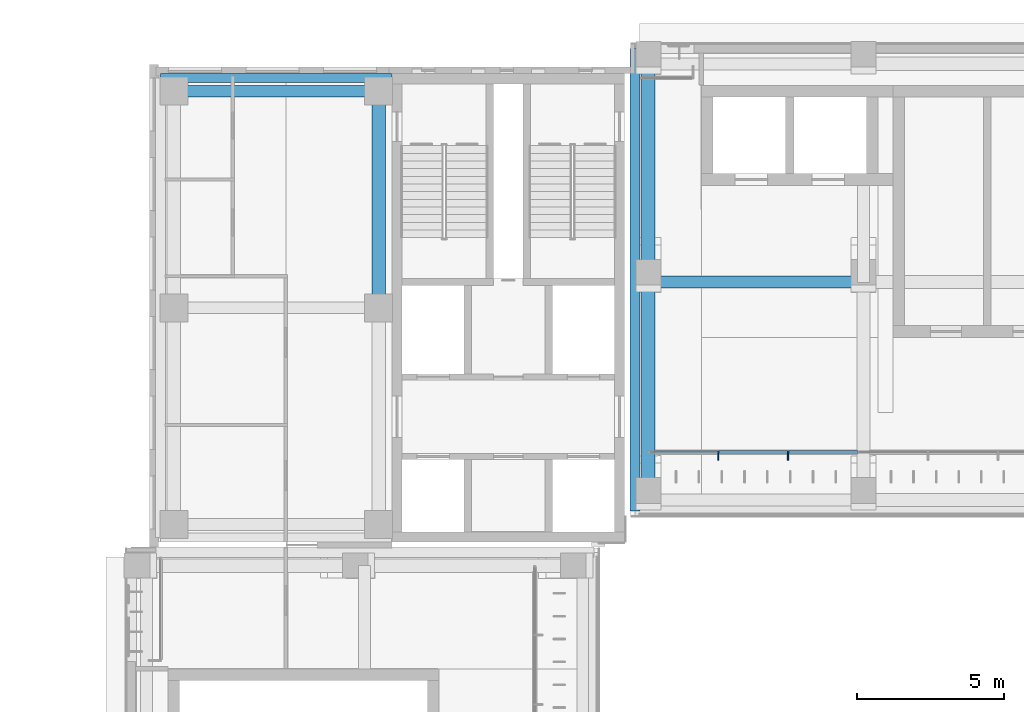
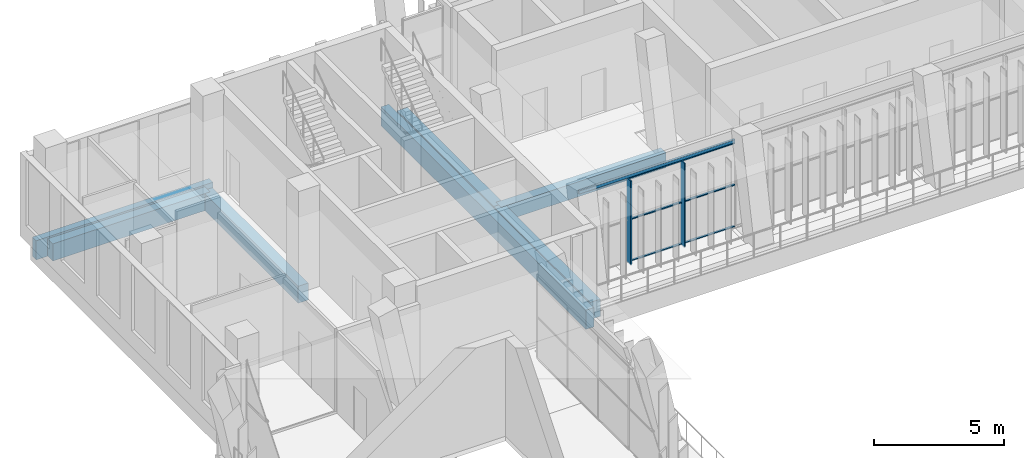
# One storey, part 32 of 92: 8 beams, 8 members, 1 element without a shape of its own.
"""IFC4 building model written with IfcOpenShell, lengths in metres."""

from ifc_helpers import new_model, si_unit, direction, frame, origin, origin_2d, place, context, subcontext, project, spatial, rectangle, hollow_rectangle, extrude, material, material_profile, profile_set, type_object, element, aggregate, save


model = new_model("IFC4")

# Units and contexts
model_context = context("Model", 3, precision=1e-05, world=origin(), true_north=direction((0.0, 1.0)))
body_context = subcontext(model_context, "Body", "Model", "MODEL_VIEW")
ifc_project = project(units=[si_unit("LENGTHUNIT", "METRE"), si_unit("AREAUNIT", "SQUARE_METRE"), si_unit("VOLUMEUNIT", "CUBIC_METRE"), si_unit("PLANEANGLEUNIT", "RADIAN"), si_unit("MASSUNIT", "GRAM", prefix="KILO")], contexts=[model_context])

# Site, building, storey
site_placement = place(None, origin())
site = spatial("IfcSite", under=ifc_project, at=site_placement, CompositionType="ELEMENT")
building_placement = place(site_placement, origin())
building = spatial("IfcBuilding", under=site, at=building_placement, Name="Lantern Court Media Centre", CompositionType="ELEMENT")
storey_placement = place(building_placement, frame((0.0, 0.0, 4.800048828125)))
storey = spatial("IfcBuildingStorey", under=building, at=storey_placement, Name="L01", CompositionType="ELEMENT", Elevation=4.800048828125)

# Curtain wall, members
ifc_material_1 = material(Name="Curtain wall bay 2400")
curtain_wall_type = type_object("IfcCurtainWallType", Name="Curtain wall bay 2400", PredefinedType="NOTDEFINED", material=ifc_material_1)
curtain_wall_placement = place(storey_placement, origin())
curtain_wall = element("IfcCurtainWall", 1, at=curtain_wall_placement, inside=storey, type_object=curtain_wall_type, Name="Curtain wall N inner L01", PredefinedType="NOTDEFINED")
ifc_material_2 = material(Name="Anodised aluminium", Category="aluminium")
ifc_material_profile_1 = material_profile(ifc_material_2, rectangle(XDim=0.300048828125, YDim=0.050048828125, at=origin_2d()), Name="AL 50x300")
ifc_profile_set_1 = profile_set([ifc_material_profile_1], Name="Anodised aluminium")
member_type_1 = type_object("IfcMemberType", Name="Curtain wall mullion 50x300", PredefinedType="MULLION", material=ifc_profile_set_1)
member_1_placement = place(storey_placement, frame((27.073974609375, 99.030029296875, 0.0), z_axis=(0.0, 0.0, 1.0), x_axis=(0.0, 1.0, 0.0)))
member_1 = element("IfcMember", 2, at=member_1_placement, type_object=member_type_1, Name="CW2 mullion 2", PredefinedType="MULLION", context=body_context, shape_type="SweptSolid", body=[
    extrude(rectangle(XDim=0.300048828125, YDim=0.050048828125, at=origin_2d()), origin(), (0.0, 0.0, 1.0), 3.949951171875),
])
member_2_placement = place(storey_placement, frame((29.44775390625, 99.030029296875, 0.0), z_axis=(0.0, 0.0, 1.0), x_axis=(0.0, 1.0, 0.0)))
member_2 = element("IfcMember", 3, at=member_2_placement, type_object=member_type_1, Name="CW2 mullion 3", PredefinedType="MULLION", context=body_context, shape_type="SweptSolid", body=[
    extrude(rectangle(XDim=0.300048828125, YDim=0.050048828125, at=origin_2d()), origin(), (0.0, 0.0, 1.0), 3.949951171875),
])
ifc_material_profile_2 = material_profile(ifc_material_2, rectangle(XDim=0.10009765625, YDim=0.050048828125, at=origin_2d()), Name="AL 50x100")
ifc_profile_set_2 = profile_set([ifc_material_profile_2], Name="Anodised aluminium")
member_type_2 = type_object("IfcMemberType", Name="Curtain wall transom 100x50", PredefinedType="USERDEFINED", material=ifc_profile_set_2)
member_3_placement = place(storey_placement, frame((27.098876953125, 99.14990234375, 0.02490234375), z_axis=(1.0, 0.0, 0.0), x_axis=(0.0, 1.0, 0.0)))
member_3 = element("IfcMember", 4, at=member_3_placement, type_object=member_type_2, Name="CW2 transom 2.1", ObjectType="TRANSOM", PredefinedType="USERDEFINED", context=body_context, shape_type="SweptSolid", body=[
    extrude(rectangle(XDim=0.10009765625, YDim=0.050048828125, at=origin_2d()), origin(), (0.0, 0.0, 1.0), 2.323974609375),
])
member_4_placement = place(storey_placement, frame((27.098876953125, 99.14990234375, 1.974853515625), z_axis=(1.0, 0.0, 0.0), x_axis=(0.0, 1.0, 0.0)))
member_4 = element("IfcMember", 5, at=member_4_placement, type_object=member_type_2, Name="CW2 transom 2.2", ObjectType="TRANSOM", PredefinedType="USERDEFINED", context=body_context, shape_type="SweptSolid", body=[
    extrude(rectangle(XDim=0.10009765625, YDim=0.050048828125, at=origin_2d()), origin(), (0.0, 0.0, 1.0), 2.323974609375),
])
member_5_placement = place(storey_placement, frame((27.098876953125, 99.14990234375, 3.925048828125), z_axis=(1.0, 0.0, 0.0), x_axis=(0.0, 1.0, 0.0)))
member_5 = element("IfcMember", 6, at=member_5_placement, type_object=member_type_2, Name="CW2 transom 2.3", ObjectType="TRANSOM", PredefinedType="USERDEFINED", context=body_context, shape_type="SweptSolid", body=[
    extrude(rectangle(XDim=0.10009765625, YDim=0.050048828125, at=origin_2d()), origin(), (0.0, 0.0, 1.0), 2.323974609375),
])
member_6_placement = place(storey_placement, frame((29.472900390625, 99.14990234375, 0.02490234375), z_axis=(1.0, 0.0, 0.0), x_axis=(0.0, 1.0, 0.0)))
member_6 = element("IfcMember", 7, at=member_6_placement, type_object=member_type_2, Name="CW2 transom 3.1", ObjectType="TRANSOM", PredefinedType="USERDEFINED", context=body_context, shape_type="SweptSolid", body=[
    extrude(rectangle(XDim=0.10009765625, YDim=0.050048828125, at=origin_2d()), origin(), (0.0, 0.0, 1.0), 2.32373046875),
])
member_7_placement = place(storey_placement, frame((29.472900390625, 99.14990234375, 1.974853515625), z_axis=(1.0, 0.0, 0.0), x_axis=(0.0, 1.0, 0.0)))
member_7 = element("IfcMember", 8, at=member_7_placement, type_object=member_type_2, Name="CW2 transom 3.2", ObjectType="TRANSOM", PredefinedType="USERDEFINED", context=body_context, shape_type="SweptSolid", body=[
    extrude(rectangle(XDim=0.10009765625, YDim=0.050048828125, at=origin_2d()), origin(), (0.0, 0.0, 1.0), 2.32373046875),
])
member_8_placement = place(storey_placement, frame((29.472900390625, 99.14990234375, 3.925048828125), z_axis=(1.0, 0.0, 0.0), x_axis=(0.0, 1.0, 0.0)))
member_8 = element("IfcMember", 9, at=member_8_placement, type_object=member_type_2, Name="CW2 transom 3.3", ObjectType="TRANSOM", PredefinedType="USERDEFINED", context=body_context, shape_type="SweptSolid", body=[
    extrude(rectangle(XDim=0.10009765625, YDim=0.050048828125, at=origin_2d()), origin(), (0.0, 0.0, 1.0), 2.32373046875),
])
aggregate(curtain_wall, [member_1, member_2, member_3, member_4, member_5, member_6, member_7, member_8])

# Beams
ifc_material_3 = material(Name="Steel S355J2 (EN 10025-2)", Category="steel")
ifc_material_profile_3 = material_profile(ifc_material_3, hollow_rectangle(XDim=0.10009765625, YDim=0.14990234375, WallThickness=0.00634765625, InnerFilletRadius=0.00634765625, OuterFilletRadius=0.009521484375, at=origin_2d()), Name="Facade head lintel RHS 150x100x6.3")
ifc_profile_set_3 = profile_set([ifc_material_profile_3], Name="Steel S355J2 (EN 10025-2)")
beam_type_1 = type_object("IfcBeamType", Name="Facade head lintel RHS 150x100x6.3", PredefinedType="BEAM", material=ifc_profile_set_3)
beam_1_placement = place(storey_placement, frame((24.89990234375, 99.14990234375, 4.02490234375), z_axis=(1.0, 0.0, 0.0), x_axis=(0.0, 1.0, 0.0)))
element("IfcBeam", 10, at=beam_1_placement, inside=storey, type_object=beam_type_1, Name="Facade head lintel N L01", PredefinedType="BEAM", context=body_context, shape_type="SweptSolid", body=[
    extrude(hollow_rectangle(XDim=0.10009765625, YDim=0.14990234375, WallThickness=0.00634765625, InnerFilletRadius=0.00634765625, OuterFilletRadius=0.009521484375, at=origin_2d()), origin(), (0.0, 0.0, 1.0), 6.900146484375),
])
ifc_material_4 = material(Name="Concrete C35", Category="concrete")
ifc_material_profile_4 = material_profile(ifc_material_4, rectangle(XDim=0.300048828125, YDim=0.89990234375, at=origin_2d()), Name="RC 300x900")
ifc_profile_set_4 = profile_set([ifc_material_profile_4], Name="Concrete C35")
beam_type_2 = type_object("IfcBeamType", Name="RC BEAM 300x900", PredefinedType="BEAM", material=ifc_profile_set_4)
beam_2_placement = place(storey_placement, frame((8.14990234375, 111.85009765625, -0.449951171875), z_axis=(1.0, 0.0, 0.0), x_axis=(0.0, 1.0, 0.0)))
element("IfcBeam", 11, at=beam_2_placement, inside=storey, type_object=beam_type_2, Name="EB-NW-L01-N", PredefinedType="BEAM", context=body_context, shape_type="SweptSolid", body=[
    extrude(rectangle(XDim=0.300048828125, YDim=0.89990234375, at=origin_2d()), origin(), (0.0, 0.0, 1.0), 7.830078125),
])
ifc_material_profile_5 = material_profile(ifc_material_4, rectangle(XDim=0.35009765625, YDim=0.89990234375, at=origin_2d()), Name="RC 350x900")
ifc_profile_set_5 = profile_set([ifc_material_profile_5], Name="Concrete C35")
beam_type_3 = type_object("IfcBeamType", Name="RC BEAM 350x900", PredefinedType="BEAM", material=ifc_profile_set_5)
beam_3_placement = place(storey_placement, frame((24.25, 97.14990234375, -0.449951171875), z_axis=(0.0, 1.0, 0.0), x_axis=(-1.0, 0.0, 0.0)))
element("IfcBeam", 12, at=beam_3_placement, inside=storey, type_object=beam_type_3, Name="EB-N-L01-C", PredefinedType="BEAM", context=body_context, shape_type="SweptSolid", body=[
    extrude(rectangle(XDim=0.35009765625, YDim=0.89990234375, at=origin_2d()), origin(), (0.0, 0.0, 1.0), 15.7001953125),
])
ifc_material_profile_6 = material_profile(ifc_material_4, rectangle(XDim=0.39990234375, YDim=0.699951171875, at=origin_2d()), Name="RC 400x700")
ifc_profile_set_6 = profile_set([ifc_material_profile_6], Name="Concrete C35")
beam_type_4 = type_object("IfcBeamType", Name="RC BEAM 400x700", PredefinedType="BEAM", material=ifc_profile_set_6)
beam_4_placement = place(storey_placement, frame((24.699951171875, 104.927001953125, -0.35009765625), z_axis=(1.0, 0.0, 0.0), x_axis=(0.0, 1.0, 0.0)))
element("IfcBeam", 13, at=beam_4_placement, inside=storey, type_object=beam_type_4, Name="LB-N-L01-1-0", PredefinedType="BEAM", context=body_context, shape_type="SweptSolid", body=[
    extrude(rectangle(XDim=0.39990234375, YDim=0.699951171875, at=origin_2d()), origin(), (0.0, 0.0, 1.0), 7.300048828125),
])
ifc_material_profile_7 = material_profile(ifc_material_4, rectangle(XDim=0.39990234375, YDim=0.800048828125, at=origin_2d()), Name="RC 400x800")
ifc_profile_set_7 = profile_set([ifc_material_profile_7], Name="Concrete C35")
beam_type_5 = type_object("IfcBeamType", Name="RC BEAM 400x800", PredefinedType="BEAM", material=ifc_profile_set_7)
beam_5_placement = place(storey_placement, frame((8.60009765625, 111.39990234375, -0.400146484375), z_axis=(1.0, 0.0, 0.0), x_axis=(0.0, 1.0, 0.0)))
element("IfcBeam", 14, at=beam_5_placement, inside=storey, type_object=beam_type_5, Name="BB-NW-L01-Y0-111", PredefinedType="BEAM", context=body_context, shape_type="SweptSolid", body=[
    extrude(rectangle(XDim=0.39990234375, YDim=0.800048828125, at=origin_2d()), origin(), (0.0, 0.0, 1.0), 6.949951171875),
])
ifc_material_profile_8 = material_profile(ifc_material_4, rectangle(XDim=0.449951171875, YDim=0.800048828125, at=origin_2d()), Name="RC 450x800")
ifc_profile_set_8 = profile_set([ifc_material_profile_8], Name="Concrete C35")
beam_type_6 = type_object("IfcBeamType", Name="RC BEAM 450x800", PredefinedType="BEAM", material=ifc_profile_set_8)
beam_6_placement = place(storey_placement, frame((15.550048828125, 104.050048828125, -0.400146484375), z_axis=(0.0, 1.0, 0.0), x_axis=(-1.0, 0.0, 0.0)))
element("IfcBeam", 15, at=beam_6_placement, inside=storey, type_object=beam_type_6, Name="BB-NW-L01-X1-15", PredefinedType="BEAM", context=body_context, shape_type="SweptSolid", body=[
    extrude(rectangle(XDim=0.449951171875, YDim=0.800048828125, at=origin_2d()), origin(), (0.0, 0.0, 1.0), 7.349853515625),
])
beam_7_placement = place(storey_placement, frame((24.699951171875, 97.5166015625, -0.400146484375), z_axis=(0.0, 1.0, 0.0), x_axis=(-1.0, 0.0, 0.0)))
element("IfcBeam", 16, at=beam_7_placement, inside=storey, type_object=beam_type_6, Name="TB-N-L01-0-1", PredefinedType="BEAM", context=body_context, shape_type="SweptSolid", body=[
    extrude(rectangle(XDim=0.449951171875, YDim=0.800048828125, at=origin_2d()), origin(), (0.0, 0.0, 1.0), 7.400146484375),
])
beam_8_placement = place(storey_placement, frame((24.699951171875, 104.916748046875, -0.400146484375), z_axis=(0.0, 1.0, 0.0), x_axis=(-1.0, 0.0, 0.0)))
element("IfcBeam", 17, at=beam_8_placement, inside=storey, type_object=beam_type_6, Name="TB-N-L01-0-2", PredefinedType="BEAM", context=body_context, shape_type="SweptSolid", body=[
    extrude(rectangle(XDim=0.449951171875, YDim=0.800048828125, at=origin_2d()), origin(), (0.0, 0.0, 1.0), 7.39990234375),
])

save(model, "model.ifc")
